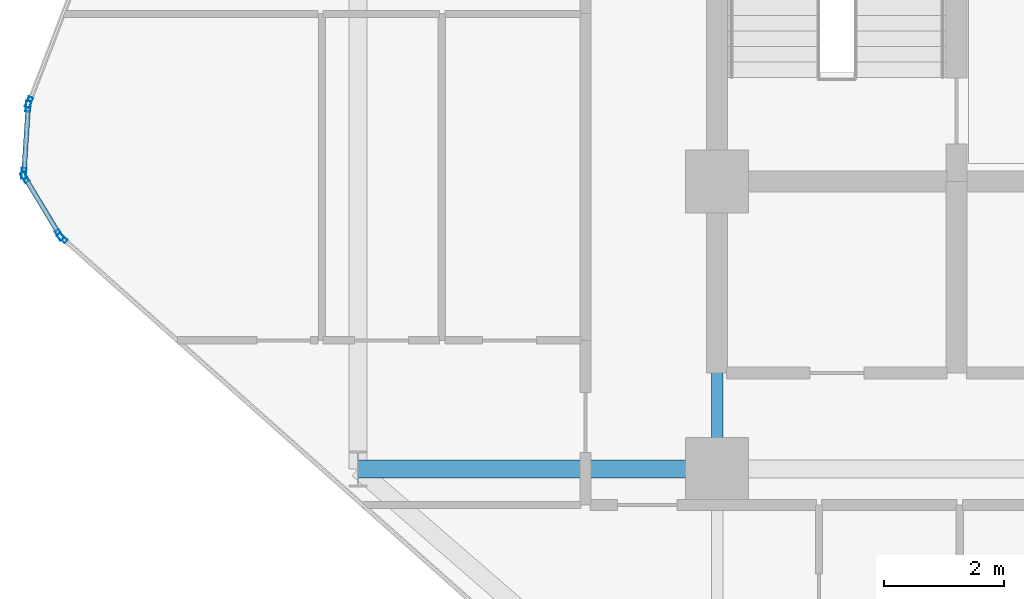
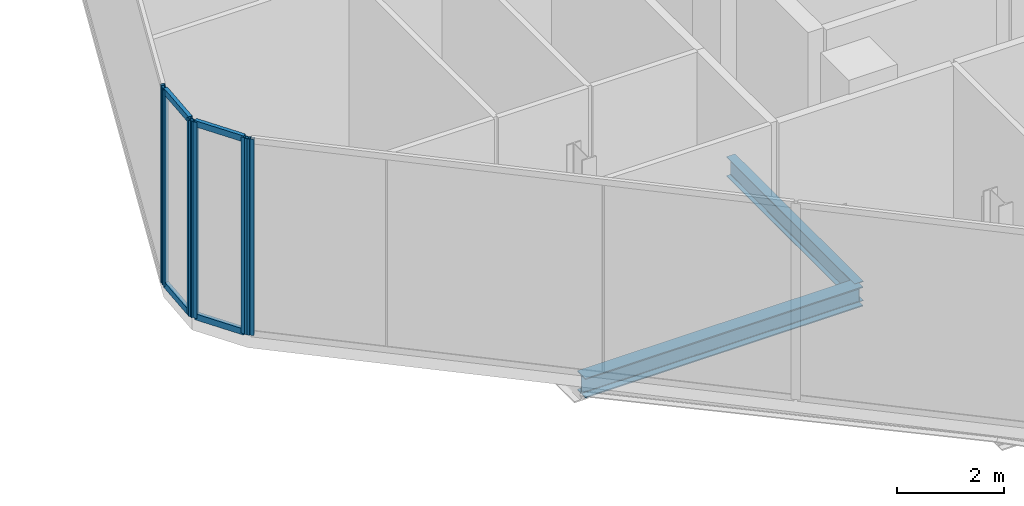
# One storey, part 6 of 29: 10 members, 2 beams, 4 elements without a shape of their own.
"""IFC4 building model written with IfcOpenShell, lengths in metres."""

from ifc_helpers import new_model, si_unit, direction, frame, origin, origin_2d, place, context, subcontext, project, spatial, hollow_rectangle, i_section, extrude, material, layer, layer_set, material_profile, profile_set, type_object, element, aggregate, save


model = new_model("IFC4")

# Units and contexts
model_context = context("Model", 3, precision=1e-05, world=origin(), true_north=direction((0.0, 1.0)))
body_context = subcontext(model_context, "Body", "Model", "MODEL_VIEW")
ifc_project = project(units=[si_unit("LENGTHUNIT", "METRE"), si_unit("AREAUNIT", "SQUARE_METRE"), si_unit("VOLUMEUNIT", "CUBIC_METRE"), si_unit("PLANEANGLEUNIT", "RADIAN"), si_unit("MASSUNIT", "GRAM", prefix="KILO")], contexts=[model_context])

# Site, building, storey
site_placement = place(None, origin())
site = spatial("IfcSite", under=ifc_project, at=site_placement, CompositionType="ELEMENT")
building_placement = place(site_placement, origin())
building = spatial("IfcBuilding", under=site, at=building_placement, Name="Keshet Zoharim Tower", CompositionType="ELEMENT")
storey_placement = place(building_placement, frame((0.0, 0.0, 120.5)))
storey = spatial("IfcBuildingStorey", under=building, at=storey_placement, Name="L29", CompositionType="ELEMENT", Elevation=120.5)

# Beams
ifc_material_1 = material(Name="Steel S355", Category="steel")
ifc_material_profile_1 = material_profile(ifc_material_1, i_section(OverallWidth=0.18994140625, OverallDepth=0.449951171875, WebThickness=0.009521484375, FlangeThickness=0.0146484375, FilletRadius=0.02099609375, at=origin_2d()), Name="IPE450")
ifc_profile_set_1 = profile_set([ifc_material_profile_1], Name="Steel S355")
beam_type_1 = type_object("IfcBeamType", Name="BM-PRI-IP450", PredefinedType="BEAM", material=ifc_profile_set_1)
beam_1_placement = place(storey_placement, frame((15.0, 17.89990234375, -0.544921875), z_axis=(0.0, 1.0, 0.0), x_axis=(-1.0, 0.0, 0.0)))
element("IfcBeam", 1, at=beam_1_placement, inside=storey, type_object=beam_type_1, Name="L29 Primary Girder Y-003", PredefinedType="BEAM", context=body_context, shape_type="SweptSolid", body=[
    extrude(i_section(OverallWidth=0.18994140625, OverallDepth=0.449951171875, WebThickness=0.009521484375, FlangeThickness=0.0146484375, FilletRadius=0.02099609375, at=origin_2d()), origin(), (0.0, 0.0, 1.0), 4.800048828125),
])
ifc_material_profile_2 = material_profile(ifc_material_1, i_section(OverallWidth=0.300048828125, OverallDepth=0.449951171875, WebThickness=0.013916015625, FlangeThickness=0.02587890625, FilletRadius=0.027099609375, at=origin_2d()), Name="HEB450")
ifc_profile_set_2 = profile_set([ifc_material_profile_2], Name="Steel S355")
beam_type_2 = type_object("IfcBeamType", Name="BM-WEB-HB450", PredefinedType="BEAM", material=ifc_profile_set_2)
beam_2_placement = place(storey_placement, frame((9.0, 17.89990234375, -0.544921875), z_axis=(1.0, 0.0, 0.0), x_axis=(0.0, 1.0, 0.0)))
element("IfcBeam", 2, at=beam_2_placement, inside=storey, type_object=beam_type_2, Name="L29 Primary Girder X-011", PredefinedType="BEAM", context=body_context, shape_type="SweptSolid", body=[
    extrude(i_section(OverallWidth=0.300048828125, OverallDepth=0.449951171875, WebThickness=0.013916015625, FlangeThickness=0.02587890625, FilletRadius=0.027099609375, at=origin_2d()), origin(), (0.0, 0.0, 1.0), 6.0),
])

# Curtain wall, member
ifc_material_2 = material(Name="Aluminium 6063-T6", Category="aluminium")
ifc_layer = layer(ifc_material_2, 0.14990234375)
ifc_layer_set = layer_set([ifc_layer], Name="Aluminium 6063-T6")
curtain_wall_type = type_object("IfcCurtainWallType", Name="CW-SYS-04", PredefinedType="NOTDEFINED", material=ifc_layer_set)
curtain_wall_1_placement = place(storey_placement, origin())
curtain_wall_1 = element("IfcCurtainWall", 3, at=curtain_wall_1_placement, inside=storey, type_object=curtain_wall_type, Name="L29 Unitised Curtain Wall 07 Part 2", PredefinedType="NOTDEFINED")
ifc_material_profile_3 = material_profile(ifc_material_2, hollow_rectangle(XDim=0.080078125, YDim=0.179931640625, WallThickness=0.00439453125, at=origin_2d()), Name="MUL-80x180")
ifc_profile_set_3 = profile_set([ifc_material_profile_3], Name="Aluminium 6063-T6")
member_type_1 = type_object("IfcMemberType", Name="CWM-M18", PredefinedType="MULLION", material=ifc_profile_set_3)
member_1_placement = place(storey_placement, frame((4.061279296875, 21.7568359375, 0.0), z_axis=(0.0, 0.0, 1.0), x_axis=(-0.664365320392, -0.747408001737, 0.0)))
member_1 = element("IfcMember", 4, at=member_1_placement, type_object=member_type_1, Name="CW-04 mullion 3", PredefinedType="MULLION", context=body_context, shape_type="SweptSolid", body=[
    extrude(hollow_rectangle(XDim=0.080078125, YDim=0.179931640625, WallThickness=0.00439453125, at=origin_2d()), origin(), (0.0, 0.0, 1.0), 4.47998046875),
])
aggregate(curtain_wall_1, [member_1])

# Curtain wall, members
curtain_wall_2_placement = place(storey_placement, origin())
curtain_wall_2 = element("IfcCurtainWall", 5, at=curtain_wall_2_placement, inside=storey, type_object=curtain_wall_type, Name="L29 Unitised Curtain Wall 08", PredefinedType="NOTDEFINED")
member_2_placement = place(storey_placement, frame((4.016845703125, 21.81005859375, 0.0), z_axis=(0.0, 0.0, 1.0), x_axis=(-0.856826433805, -0.515604947933, 0.0)))
member_2 = element("IfcMember", 6, at=member_2_placement, type_object=member_type_1, Name="CW-04 mullion 1", PredefinedType="MULLION", context=body_context, shape_type="SweptSolid", body=[
    extrude(hollow_rectangle(XDim=0.080078125, YDim=0.179931640625, WallThickness=0.00439453125, at=origin_2d()), origin(), (0.0, 0.0, 1.0), 4.47998046875),
])
member_3_placement = place(storey_placement, frame((3.43798828125, 22.77197265625, 0.0), z_axis=(0.0, 0.0, 1.0), x_axis=(-0.856826433805, -0.515604947933, 0.0)))
member_3 = element("IfcMember", 7, at=member_3_placement, type_object=member_type_1, Name="CW-04 mullion 2", PredefinedType="MULLION", context=body_context, shape_type="SweptSolid", body=[
    extrude(hollow_rectangle(XDim=0.080078125, YDim=0.179931640625, WallThickness=0.00439453125, at=origin_2d()), origin(), (0.0, 0.0, 1.0), 4.47998046875),
])

curtain_wall_3_placement = place(storey_placement, origin())
curtain_wall_3 = element("IfcCurtainWall", 8, at=curtain_wall_3_placement, inside=storey, type_object=curtain_wall_type, Name="L29 Unitised Curtain Wall 09", PredefinedType="NOTDEFINED")
member_4_placement = place(storey_placement, frame((3.42236328125, 22.8369140625, 0.0), z_axis=(0.0, 0.0, 1.0), x_axis=(-0.997916617186, 0.064516859374, 0.0)))
member_4 = element("IfcMember", 9, at=member_4_placement, type_object=member_type_1, Name="CW-04 mullion 1", PredefinedType="MULLION", context=body_context, shape_type="SweptSolid", body=[
    extrude(hollow_rectangle(XDim=0.080078125, YDim=0.179931640625, WallThickness=0.00439453125, at=origin_2d()), origin(), (0.0, 0.0, 1.0), 4.47998046875),
])
member_5_placement = place(storey_placement, frame((3.49462890625, 23.9580078125, 0.0), z_axis=(0.0, 0.0, 1.0), x_axis=(-0.997916617186, 0.064516859374, 0.0)))
member_5 = element("IfcMember", 10, at=member_5_placement, type_object=member_type_1, Name="CW-04 mullion 2", PredefinedType="MULLION", context=body_context, shape_type="SweptSolid", body=[
    extrude(hollow_rectangle(XDim=0.080078125, YDim=0.179931640625, WallThickness=0.00439453125, at=origin_2d()), origin(), (0.0, 0.0, 1.0), 4.47998046875),
])

# Curtain wall, member
curtain_wall_4_placement = place(storey_placement, origin())
curtain_wall_4 = element("IfcCurtainWall", 11, at=curtain_wall_4_placement, inside=storey, type_object=curtain_wall_type, Name="L29 Unitised Curtain Wall 10", PredefinedType="NOTDEFINED")
member_6_placement = place(storey_placement, frame((3.509521484375, 24.025634765625, 0.0), z_axis=(0.0, 0.0, 1.0), x_axis=(-0.933341404361, 0.358990003907, 0.0)))
member_6 = element("IfcMember", 12, at=member_6_placement, type_object=member_type_1, Name="CW-04 mullion 1", PredefinedType="MULLION", context=body_context, shape_type="SweptSolid", body=[
    extrude(hollow_rectangle(XDim=0.080078125, YDim=0.179931640625, WallThickness=0.00439453125, at=origin_2d()), origin(), (0.0, 0.0, 1.0), 4.47998046875),
])
aggregate(curtain_wall_4, [member_6])

# Member
ifc_material_profile_4 = material_profile(ifc_material_2, hollow_rectangle(XDim=0.080078125, YDim=0.139892578125, WallThickness=0.00390625, at=origin_2d()), Name="TRN-80x140")
ifc_profile_set_4 = profile_set([ifc_material_profile_4], Name="Aluminium 6063-T6")
member_type_2 = type_object("IfcMemberType", Name="CWT-T14", PredefinedType="USERDEFINED", material=ifc_profile_set_4)
member_7_placement = place(storey_placement, frame((3.9990234375, 21.840087890625, 0.034912109375), z_axis=(-0.515791194107, 0.856714330499, 0.0), x_axis=(-0.856714330499, -0.515791194107, 0.0)))
member_7 = element("IfcMember", 13, at=member_7_placement, type_object=member_type_2, Name="CW-04 transom 1.1", ObjectType="TRANSOM", PredefinedType="USERDEFINED", context=body_context, shape_type="SweptSolid", body=[
    extrude(hollow_rectangle(XDim=0.080078125, YDim=0.139892578125, WallThickness=0.00390625, at=origin_2d()), origin(), (0.0, 0.0, 1.0), 1.052734375),
])

member_8_placement = place(storey_placement, frame((3.9990234375, 21.840087890625, 4.445068359375), z_axis=(-0.515791194107, 0.856714330499, 0.0), x_axis=(-0.856714330499, -0.515791194107, 0.0)))
member_8 = element("IfcMember", 14, at=member_8_placement, type_object=member_type_2, Name="CW-04 transom 1.2", ObjectType="TRANSOM", PredefinedType="USERDEFINED", context=body_context, shape_type="SweptSolid", body=[
    extrude(hollow_rectangle(XDim=0.080078125, YDim=0.139892578125, WallThickness=0.00390625, at=origin_2d()), origin(), (0.0, 0.0, 1.0), 1.052734375),
])

aggregate(curtain_wall_2, [member_2, member_3, member_7, member_8])

member_9_placement = place(storey_placement, frame((3.424560546875, 22.871826171875, 0.034912109375), z_axis=(0.064426947155, 0.997922426083, 0.0), x_axis=(-0.997922426083, 0.064426947155, 0.0)))
member_9 = element("IfcMember", 15, at=member_9_placement, type_object=member_type_2, Name="CW-04 transom 1.1", ObjectType="TRANSOM", PredefinedType="USERDEFINED", context=body_context, shape_type="SweptSolid", body=[
    extrude(hollow_rectangle(XDim=0.080078125, YDim=0.139892578125, WallThickness=0.00390625, at=origin_2d()), origin(), (0.0, 0.0, 1.0), 1.053466796875),
])

member_10_placement = place(storey_placement, frame((3.424560546875, 22.871826171875, 4.445068359375), z_axis=(0.064426947155, 0.997922426083, 0.0), x_axis=(-0.997922426083, 0.064426947155, 0.0)))
member_10 = element("IfcMember", 16, at=member_10_placement, type_object=member_type_2, Name="CW-04 transom 1.2", ObjectType="TRANSOM", PredefinedType="USERDEFINED", context=body_context, shape_type="SweptSolid", body=[
    extrude(hollow_rectangle(XDim=0.080078125, YDim=0.139892578125, WallThickness=0.00390625, at=origin_2d()), origin(), (0.0, 0.0, 1.0), 1.053466796875),
])

aggregate(curtain_wall_3, [member_4, member_5, member_9, member_10])

save(model, "model.ifc")
